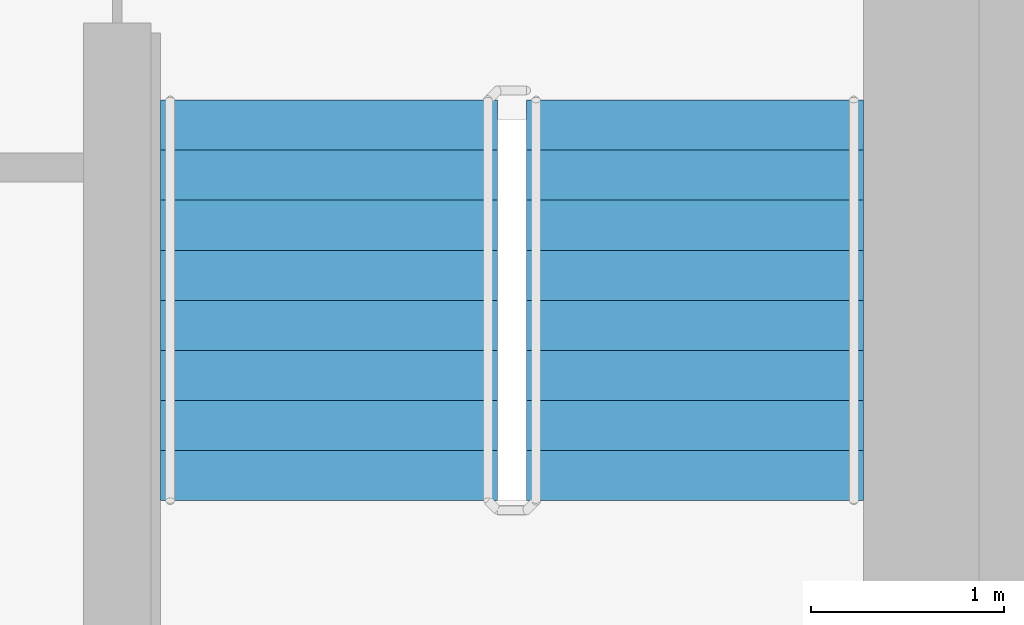
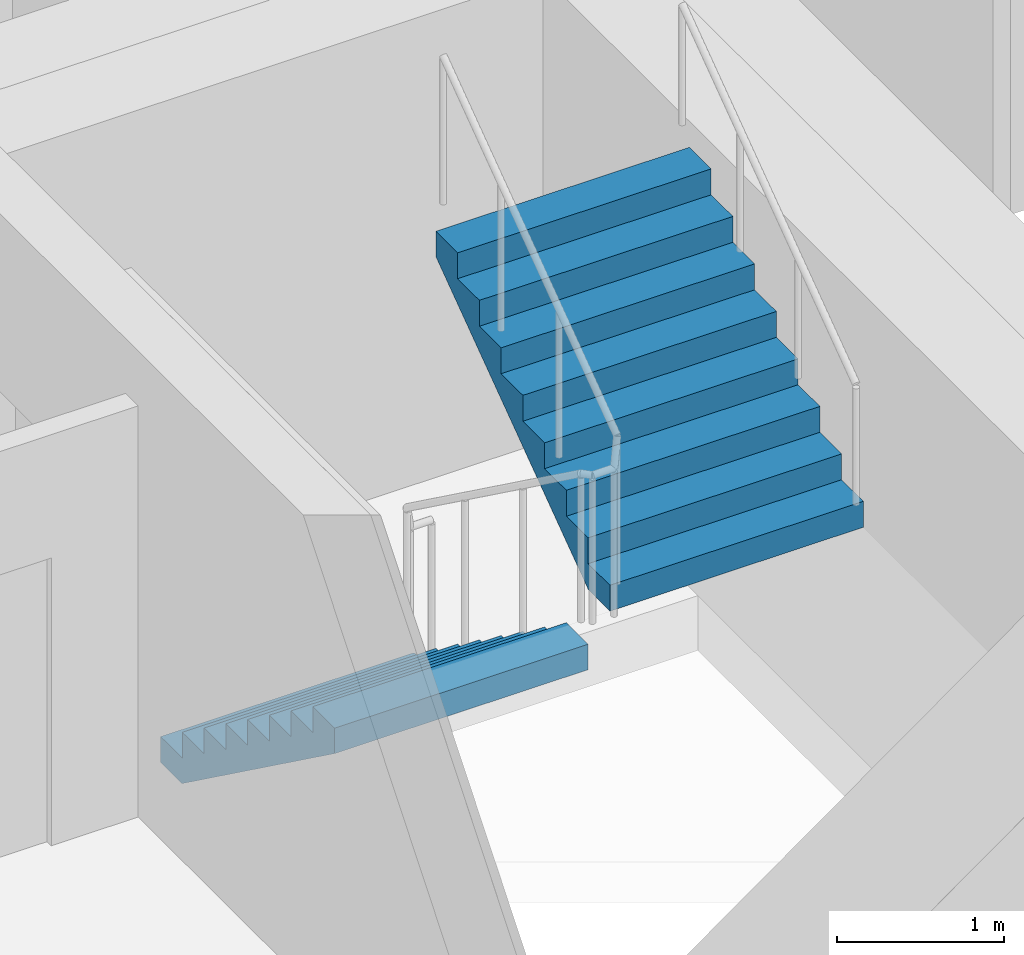
# One storey, part 14 of 18: 2 stair flights, 1 element without a shape of its own.
"""IFC4 building model written with IfcOpenShell, lengths in metres."""

from ifc_helpers import new_model, si_unit, direction, frame, origin, place, context, subcontext, project, spatial, faceted_brep, material, type_object, element, aggregate, save


model = new_model("IFC4")

# Units and contexts
model_context = context("Model", 3, precision=1e-05, world=origin(), true_north=direction((0.0, 1.0)))
body_context = subcontext(model_context, "Body", "Model", "MODEL_VIEW")
ifc_project = project(units=[si_unit("LENGTHUNIT", "METRE"), si_unit("AREAUNIT", "SQUARE_METRE"), si_unit("VOLUMEUNIT", "CUBIC_METRE"), si_unit("PLANEANGLEUNIT", "RADIAN"), si_unit("MASSUNIT", "GRAM", prefix="KILO")], contexts=[model_context])

# Site, building, storey
site_placement = place(None, origin())
site = spatial("IfcSite", under=ifc_project, at=site_placement, CompositionType="ELEMENT")
building_placement = place(site_placement, origin())
building = spatial("IfcBuilding", under=site, at=building_placement, Name="Ipe Terrace Towers", CompositionType="ELEMENT")
storey_placement = place(building_placement, frame((0.0, 0.0, 226.60009765625)))
storey = spatial("IfcBuildingStorey", under=building, at=storey_placement, Name="L63", CompositionType="ELEMENT", Elevation=226.60009765625)

# Stair, stair flights
ifc_material_1 = material(Name="Concrete C30/37", Category="concrete")
stair_type = type_object("IfcStairType", Name="Protected exit stair", PredefinedType="HALF_TURN_STAIR", material=ifc_material_1)
stair_placement = place(storey_placement, origin())
stair = element("IfcStair", 1, at=stair_placement, inside=storey, type_object=stair_type, Name="L63 Exit stair T2-C2", PredefinedType="HALF_TURN_STAIR")
ifc_material_2 = material(Name="Concrete C30/37", Category="concrete")
stair_flight_type = type_object("IfcStairFlightType", Name="Exit stair flight 1750", PredefinedType="STRAIGHT", material=ifc_material_2)
stair_flight_1_placement = place(storey_placement, frame((38.77490234375, -9.699951171875, 0.0), z_axis=(0.0, 0.0, 1.0), x_axis=(0.0, -1.0, 0.0)))
stair_flight_1 = element("IfcStairFlight", 2, at=stair_flight_1_placement, type_object=stair_flight_type, Name="T2-ST2 flight 1", NumberOfRisers=9, NumberOfTreads=8, PredefinedType="STRAIGHT", RiserHeight=0.188888889, TreadLength=0.26, context=body_context, shape_type="Brep", body=[
    faceted_brep([(0.255126953125, -0.875, 0.0), (2.080078125, -0.875, 1.325927734375), (2.080078125, -0.875, 1.51123046875), (1.820068359375, -0.875, 1.51123046875), (1.820068359375, -0.875, 1.322265625), (1.56005859375, -0.875, 1.322265625), (1.56005859375, -0.875, 1.13330078125), (1.300048828125, -0.875, 1.13330078125), (1.300048828125, -0.875, 0.9443359375), (1.0400390625, -0.875, 0.9443359375), (1.0400390625, -0.875, 0.755615234375), (0.780029296875, -0.875, 0.755615234375), (0.780029296875, -0.875, 0.566650390625), (0.52001953125, -0.875, 0.566650390625), (0.52001953125, -0.875, 0.377685546875), (0.260009765625, -0.875, 0.377685546875), (0.260009765625, -0.875, 0.18896484375), (0.0, -0.875, 0.18896484375), (0.0, -0.875, 0.0), (0.0, 0.875, 0.0), (0.0, 0.875, 0.18896484375), (0.260009765625, 0.875, 0.18896484375), (0.260009765625, 0.875, 0.377685546875), (0.52001953125, 0.875, 0.377685546875), (0.52001953125, 0.875, 0.566650390625), (0.780029296875, 0.875, 0.566650390625), (0.780029296875, 0.875, 0.755615234375), (1.0400390625, 0.875, 0.755615234375), (1.0400390625, 0.875, 0.9443359375), (1.300048828125, 0.875, 0.9443359375), (1.300048828125, 0.875, 1.13330078125), (1.56005859375, 0.875, 1.13330078125), (1.56005859375, 0.875, 1.322265625), (1.820068359375, 0.875, 1.322265625), (1.820068359375, 0.875, 1.51123046875), (2.080078125, 0.875, 1.51123046875), (2.080078125, 0.875, 1.325927734375), (0.255126953125, 0.875, 0.0), (0.0, -0.300048828125, 0.18896484375), (0.0, -0.1201171875, 0.18896484375), (0.0, -0.06005859375, 0.18896484375), (0.0, -0.030029296875, 0.18896484375), (0.0, -0.010009765625, 0.18896484375), (0.0, 0.0, 0.18896484375), (0.0, 0.010009765625, 0.18896484375), (0.0, 0.030029296875, 0.18896484375), (0.0, 0.06005859375, 0.18896484375), (0.0, 0.1201171875, 0.18896484375), (0.0, 0.300048828125, 0.18896484375), (0.0, 0.300048828125, 0.0), (0.0, 0.1201171875, 0.0), (0.0, 0.06005859375, 0.0), (0.0, 0.030029296875, 0.0), (0.0, 0.010009765625, 0.0), (0.0, 0.0, 0.0), (0.0, -0.010009765625, 0.0), (0.0, -0.030029296875, 0.0), (0.0, -0.06005859375, 0.0), (0.0, -0.1201171875, 0.0), (0.0, -0.300048828125, 0.0), (0.260009765625, -0.300048828125, 0.18896484375), (0.260009765625, -0.1201171875, 0.18896484375), (0.260009765625, -0.06005859375, 0.18896484375), (0.260009765625, -0.030029296875, 0.18896484375), (0.260009765625, -0.010009765625, 0.18896484375), (0.260009765625, 0.0, 0.18896484375), (0.260009765625, 0.010009765625, 0.18896484375), (0.260009765625, 0.030029296875, 0.18896484375), (0.260009765625, 0.06005859375, 0.18896484375), (0.260009765625, 0.1201171875, 0.18896484375), (0.260009765625, 0.300048828125, 0.18896484375), (0.260009765625, -0.300048828125, 0.377685546875), (0.260009765625, -0.1201171875, 0.377685546875), (0.260009765625, -0.06005859375, 0.377685546875), (0.260009765625, -0.030029296875, 0.377685546875), (0.260009765625, -0.010009765625, 0.377685546875), (0.260009765625, 0.0, 0.377685546875), (0.260009765625, 0.010009765625, 0.377685546875), (0.260009765625, 0.030029296875, 0.377685546875), (0.260009765625, 0.06005859375, 0.377685546875), (0.260009765625, 0.1201171875, 0.377685546875), (0.260009765625, 0.300048828125, 0.377685546875), (0.52001953125, -0.300048828125, 0.377685546875), (0.52001953125, -0.1201171875, 0.377685546875), (0.52001953125, -0.06005859375, 0.377685546875), (0.52001953125, -0.030029296875, 0.377685546875), (0.52001953125, -0.010009765625, 0.377685546875), (0.52001953125, 0.0, 0.377685546875), (0.52001953125, 0.010009765625, 0.377685546875), (0.52001953125, 0.030029296875, 0.377685546875), (0.52001953125, 0.06005859375, 0.377685546875), (0.52001953125, 0.1201171875, 0.377685546875), (0.52001953125, 0.300048828125, 0.377685546875), (0.52001953125, -0.300048828125, 0.566650390625), (0.52001953125, -0.1201171875, 0.566650390625), (0.52001953125, -0.06005859375, 0.566650390625), (0.52001953125, -0.030029296875, 0.566650390625), (0.52001953125, -0.010009765625, 0.566650390625), (0.52001953125, 0.0, 0.566650390625), (0.52001953125, 0.010009765625, 0.566650390625), (0.52001953125, 0.030029296875, 0.566650390625), (0.52001953125, 0.06005859375, 0.566650390625), (0.52001953125, 0.1201171875, 0.566650390625), (0.52001953125, 0.300048828125, 0.566650390625), (0.780029296875, -0.300048828125, 0.566650390625), (0.780029296875, -0.1201171875, 0.566650390625), (0.780029296875, -0.06005859375, 0.566650390625), (0.780029296875, -0.030029296875, 0.566650390625), (0.780029296875, -0.010009765625, 0.566650390625), (0.780029296875, 0.0, 0.566650390625), (0.780029296875, 0.010009765625, 0.566650390625), (0.780029296875, 0.030029296875, 0.566650390625), (0.780029296875, 0.06005859375, 0.566650390625), (0.780029296875, 0.1201171875, 0.566650390625), (0.780029296875, 0.300048828125, 0.566650390625), (0.780029296875, -0.300048828125, 0.755615234375), (0.780029296875, -0.1201171875, 0.755615234375), (0.780029296875, -0.06005859375, 0.755615234375), (0.780029296875, -0.030029296875, 0.755615234375), (0.780029296875, -0.010009765625, 0.755615234375), (0.780029296875, 0.0, 0.755615234375), (0.780029296875, 0.010009765625, 0.755615234375), (0.780029296875, 0.030029296875, 0.755615234375), (0.780029296875, 0.06005859375, 0.755615234375), (0.780029296875, 0.1201171875, 0.755615234375), (0.780029296875, 0.300048828125, 0.755615234375), (1.0400390625, -0.300048828125, 0.755615234375), (1.0400390625, -0.1201171875, 0.755615234375), (1.0400390625, -0.06005859375, 0.755615234375), (1.0400390625, -0.030029296875, 0.755615234375), (1.0400390625, -0.010009765625, 0.755615234375), (1.0400390625, 0.0, 0.755615234375), (1.0400390625, 0.010009765625, 0.755615234375), (1.0400390625, 0.030029296875, 0.755615234375), (1.0400390625, 0.06005859375, 0.755615234375), (1.0400390625, 0.1201171875, 0.755615234375), (1.0400390625, 0.300048828125, 0.755615234375), (1.0400390625, -0.300048828125, 0.9443359375), (1.0400390625, -0.1201171875, 0.9443359375), (1.0400390625, -0.06005859375, 0.9443359375), (1.0400390625, -0.030029296875, 0.9443359375), (1.0400390625, -0.010009765625, 0.9443359375), (1.0400390625, 0.0, 0.9443359375), (1.0400390625, 0.010009765625, 0.9443359375), (1.0400390625, 0.030029296875, 0.9443359375), (1.0400390625, 0.06005859375, 0.9443359375), (1.0400390625, 0.1201171875, 0.9443359375), (1.0400390625, 0.300048828125, 0.9443359375), (1.300048828125, -0.300048828125, 0.9443359375), (1.300048828125, -0.1201171875, 0.9443359375), (1.300048828125, -0.06005859375, 0.9443359375), (1.300048828125, -0.030029296875, 0.9443359375), (1.300048828125, -0.010009765625, 0.9443359375), (1.300048828125, 0.0, 0.9443359375), (1.300048828125, 0.010009765625, 0.9443359375), (1.300048828125, 0.030029296875, 0.9443359375), (1.300048828125, 0.06005859375, 0.9443359375), (1.300048828125, 0.1201171875, 0.9443359375), (1.300048828125, 0.300048828125, 0.9443359375), (1.300048828125, -0.300048828125, 1.13330078125), (1.300048828125, -0.1201171875, 1.13330078125), (1.300048828125, -0.06005859375, 1.13330078125), (1.300048828125, -0.030029296875, 1.13330078125), (1.300048828125, -0.010009765625, 1.13330078125), (1.300048828125, 0.0, 1.13330078125), (1.300048828125, 0.010009765625, 1.13330078125), (1.300048828125, 0.030029296875, 1.13330078125), (1.300048828125, 0.06005859375, 1.13330078125), (1.300048828125, 0.1201171875, 1.13330078125), (1.300048828125, 0.300048828125, 1.13330078125), (1.56005859375, -0.300048828125, 1.13330078125), (1.56005859375, -0.1201171875, 1.13330078125), (1.56005859375, -0.06005859375, 1.13330078125), (1.56005859375, -0.030029296875, 1.13330078125), (1.56005859375, -0.010009765625, 1.13330078125), (1.56005859375, 0.0, 1.13330078125), (1.56005859375, 0.010009765625, 1.13330078125), (1.56005859375, 0.030029296875, 1.13330078125), (1.56005859375, 0.06005859375, 1.13330078125), (1.56005859375, 0.1201171875, 1.13330078125), (1.56005859375, 0.300048828125, 1.13330078125), (1.56005859375, -0.300048828125, 1.322265625), (1.56005859375, -0.1201171875, 1.322265625), (1.56005859375, -0.06005859375, 1.322265625), (1.56005859375, -0.030029296875, 1.322265625), (1.56005859375, -0.010009765625, 1.322265625), (1.56005859375, 0.0, 1.322265625), (1.56005859375, 0.010009765625, 1.322265625), (1.56005859375, 0.030029296875, 1.322265625), (1.56005859375, 0.06005859375, 1.322265625), (1.56005859375, 0.1201171875, 1.322265625), (1.56005859375, 0.300048828125, 1.322265625), (1.820068359375, -0.300048828125, 1.322265625), (1.820068359375, -0.1201171875, 1.322265625), (1.820068359375, -0.06005859375, 1.322265625), (1.820068359375, -0.030029296875, 1.322265625), (1.820068359375, -0.010009765625, 1.322265625), (1.820068359375, 0.0, 1.322265625), (1.820068359375, 0.010009765625, 1.322265625), (1.820068359375, 0.030029296875, 1.322265625), (1.820068359375, 0.06005859375, 1.322265625), (1.820068359375, 0.1201171875, 1.322265625), (1.820068359375, 0.300048828125, 1.322265625), (1.820068359375, -0.300048828125, 1.51123046875), (1.820068359375, -0.1201171875, 1.51123046875), (1.820068359375, -0.06005859375, 1.51123046875), (1.820068359375, -0.030029296875, 1.51123046875), (1.820068359375, -0.010009765625, 1.51123046875), (1.820068359375, 0.0, 1.51123046875), (1.820068359375, 0.010009765625, 1.51123046875), (1.820068359375, 0.030029296875, 1.51123046875), (1.820068359375, 0.06005859375, 1.51123046875), (1.820068359375, 0.1201171875, 1.51123046875), (1.820068359375, 0.300048828125, 1.51123046875), (2.080078125, -0.300048828125, 1.51123046875), (2.080078125, -0.1201171875, 1.51123046875), (2.080078125, -0.06005859375, 1.51123046875), (2.080078125, -0.030029296875, 1.51123046875), (2.080078125, -0.010009765625, 1.51123046875), (2.080078125, 0.0, 1.51123046875), (2.080078125, 0.010009765625, 1.51123046875), (2.080078125, 0.030029296875, 1.51123046875), (2.080078125, 0.06005859375, 1.51123046875), (2.080078125, 0.1201171875, 1.51123046875), (2.080078125, 0.300048828125, 1.51123046875), (2.080078125, -0.300048828125, 1.325927734375), (2.080078125, -0.1201171875, 1.325927734375), (2.080078125, -0.06005859375, 1.325927734375), (2.080078125, -0.030029296875, 1.325927734375), (2.080078125, -0.010009765625, 1.325927734375), (2.080078125, 0.0, 1.325927734375), (2.080078125, 0.010009765625, 1.325927734375), (2.080078125, 0.030029296875, 1.325927734375), (2.080078125, 0.06005859375, 1.325927734375), (2.080078125, 0.1201171875, 1.325927734375), (2.080078125, 0.300048828125, 1.325927734375), (0.255126953125, -0.300048828125, 0.0), (0.255126953125, -0.1201171875, 0.0), (0.255126953125, -0.06005859375, 0.0), (0.255126953125, -0.030029296875, 0.0), (0.255126953125, -0.010009765625, 0.0), (0.255126953125, 0.0, 0.0), (0.255126953125, 0.010009765625, 0.0), (0.255126953125, 0.030029296875, 0.0), (0.255126953125, 0.06005859375, 0.0), (0.255126953125, 0.1201171875, 0.0), (0.255126953125, 0.300048828125, 0.0)], [[[0, 1, 2, 3, 4, 5, 6, 7, 8, 9, 10, 11, 12, 13, 14, 15, 16, 17, 18]], [[19, 20, 21, 22, 23, 24, 25, 26, 27, 28, 29, 30, 31, 32, 33, 34, 35, 36, 37]], [[17, 38, 39, 40, 41, 42, 43, 44, 45, 46, 47, 48, 20, 19, 49, 50, 51, 52, 53, 54, 55, 56, 57, 58, 59, 18]], [[16, 60, 61, 62, 63, 64, 65, 66, 67, 68, 69, 70, 21, 20, 48, 47, 46, 45, 44, 43, 42, 41, 40, 39, 38, 17]], [[15, 71, 72, 73, 74, 75, 76, 77, 78, 79, 80, 81, 22, 21, 70, 69, 68, 67, 66, 65, 64, 63, 62, 61, 60, 16]], [[14, 82, 83, 84, 85, 86, 87, 88, 89, 90, 91, 92, 23, 22, 81, 80, 79, 78, 77, 76, 75, 74, 73, 72, 71, 15]], [[13, 93, 94, 95, 96, 97, 98, 99, 100, 101, 102, 103, 24, 23, 92, 91, 90, 89, 88, 87, 86, 85, 84, 83, 82, 14]], [[12, 104, 105, 106, 107, 108, 109, 110, 111, 112, 113, 114, 25, 24, 103, 102, 101, 100, 99, 98, 97, 96, 95, 94, 93, 13]], [[11, 115, 116, 117, 118, 119, 120, 121, 122, 123, 124, 125, 26, 25, 114, 113, 112, 111, 110, 109, 108, 107, 106, 105, 104, 12]], [[10, 126, 127, 128, 129, 130, 131, 132, 133, 134, 135, 136, 27, 26, 125, 124, 123, 122, 121, 120, 119, 118, 117, 116, 115, 11]], [[9, 137, 138, 139, 140, 141, 142, 143, 144, 145, 146, 147, 28, 27, 136, 135, 134, 133, 132, 131, 130, 129, 128, 127, 126, 10]], [[8, 148, 149, 150, 151, 152, 153, 154, 155, 156, 157, 158, 29, 28, 147, 146, 145, 144, 143, 142, 141, 140, 139, 138, 137, 9]], [[7, 159, 160, 161, 162, 163, 164, 165, 166, 167, 168, 169, 30, 29, 158, 157, 156, 155, 154, 153, 152, 151, 150, 149, 148, 8]], [[6, 170, 171, 172, 173, 174, 175, 176, 177, 178, 179, 180, 31, 30, 169, 168, 167, 166, 165, 164, 163, 162, 161, 160, 159, 7]], [[5, 181, 182, 183, 184, 185, 186, 187, 188, 189, 190, 191, 32, 31, 180, 179, 178, 177, 176, 175, 174, 173, 172, 171, 170, 6]], [[4, 192, 193, 194, 195, 196, 197, 198, 199, 200, 201, 202, 33, 32, 191, 190, 189, 188, 187, 186, 185, 184, 183, 182, 181, 5]], [[3, 203, 204, 205, 206, 207, 208, 209, 210, 211, 212, 213, 34, 33, 202, 201, 200, 199, 198, 197, 196, 195, 194, 193, 192, 4]], [[2, 214, 215, 216, 217, 218, 219, 220, 221, 222, 223, 224, 35, 34, 213, 212, 211, 210, 209, 208, 207, 206, 205, 204, 203, 3]], [[1, 225, 226, 227, 228, 229, 230, 231, 232, 233, 234, 235, 36, 35, 224, 223, 222, 221, 220, 219, 218, 217, 216, 215, 214, 2]], [[0, 236, 237, 238, 239, 240, 241, 242, 243, 244, 245, 246, 37, 36, 235, 234, 233, 232, 231, 230, 229, 228, 227, 226, 225, 1]], [[18, 59, 58, 57, 56, 55, 54, 53, 52, 51, 50, 49, 19, 37, 246, 245, 244, 243, 242, 241, 240, 239, 238, 237, 236, 0]]]),
])
stair_flight_2_placement = place(storey_placement, frame((40.675048828125, -11.780029296875, 1.699951171875), z_axis=(0.0, 0.0, 1.0), x_axis=(0.0, 1.0, 0.0)))
stair_flight_2 = element("IfcStairFlight", 3, at=stair_flight_2_placement, type_object=stair_flight_type, Name="T2-ST2 flight 2", NumberOfRisers=9, NumberOfTreads=8, PredefinedType="STRAIGHT", RiserHeight=0.188888889, TreadLength=0.26, context=body_context, shape_type="Brep", body=[
    faceted_brep([(0.255126953125, -0.875, 0.0), (2.080078125, -0.875, 1.325927734375), (2.080078125, -0.875, 1.51123046875), (1.820068359375, -0.875, 1.51123046875), (1.820068359375, -0.875, 1.322265625), (1.56005859375, -0.875, 1.322265625), (1.56005859375, -0.875, 1.13330078125), (1.300048828125, -0.875, 1.13330078125), (1.300048828125, -0.875, 0.9443359375), (1.0400390625, -0.875, 0.9443359375), (1.0400390625, -0.875, 0.755615234375), (0.780029296875, -0.875, 0.755615234375), (0.780029296875, -0.875, 0.566650390625), (0.52001953125, -0.875, 0.566650390625), (0.52001953125, -0.875, 0.377685546875), (0.260009765625, -0.875, 0.377685546875), (0.260009765625, -0.875, 0.18896484375), (0.0, -0.875, 0.18896484375), (0.0, -0.875, 0.0), (0.0, 0.875, 0.0), (0.0, 0.875, 0.18896484375), (0.260009765625, 0.875, 0.18896484375), (0.260009765625, 0.875, 0.377685546875), (0.52001953125, 0.875, 0.377685546875), (0.52001953125, 0.875, 0.566650390625), (0.780029296875, 0.875, 0.566650390625), (0.780029296875, 0.875, 0.755615234375), (1.0400390625, 0.875, 0.755615234375), (1.0400390625, 0.875, 0.9443359375), (1.300048828125, 0.875, 0.9443359375), (1.300048828125, 0.875, 1.13330078125), (1.56005859375, 0.875, 1.13330078125), (1.56005859375, 0.875, 1.322265625), (1.820068359375, 0.875, 1.322265625), (1.820068359375, 0.875, 1.51123046875), (2.080078125, 0.875, 1.51123046875), (2.080078125, 0.875, 1.325927734375), (0.255126953125, 0.875, 0.0), (0.0, -0.300048828125, 0.18896484375), (0.0, -0.1201171875, 0.18896484375), (0.0, -0.06005859375, 0.18896484375), (0.0, -0.030029296875, 0.18896484375), (0.0, -0.010009765625, 0.18896484375), (0.0, 0.0, 0.18896484375), (0.0, 0.010009765625, 0.18896484375), (0.0, 0.030029296875, 0.18896484375), (0.0, 0.06005859375, 0.18896484375), (0.0, 0.1201171875, 0.18896484375), (0.0, 0.300048828125, 0.18896484375), (0.0, 0.300048828125, 0.0), (0.0, 0.1201171875, 0.0), (0.0, 0.06005859375, 0.0), (0.0, 0.030029296875, 0.0), (0.0, 0.010009765625, 0.0), (0.0, 0.0, 0.0), (0.0, -0.010009765625, 0.0), (0.0, -0.030029296875, 0.0), (0.0, -0.06005859375, 0.0), (0.0, -0.1201171875, 0.0), (0.0, -0.300048828125, 0.0), (0.260009765625, -0.300048828125, 0.18896484375), (0.260009765625, -0.1201171875, 0.18896484375), (0.260009765625, -0.06005859375, 0.18896484375), (0.260009765625, -0.030029296875, 0.18896484375), (0.260009765625, -0.010009765625, 0.18896484375), (0.260009765625, 0.0, 0.18896484375), (0.260009765625, 0.010009765625, 0.18896484375), (0.260009765625, 0.030029296875, 0.18896484375), (0.260009765625, 0.06005859375, 0.18896484375), (0.260009765625, 0.1201171875, 0.18896484375), (0.260009765625, 0.300048828125, 0.18896484375), (0.260009765625, -0.300048828125, 0.377685546875), (0.260009765625, -0.1201171875, 0.377685546875), (0.260009765625, -0.06005859375, 0.377685546875), (0.260009765625, -0.030029296875, 0.377685546875), (0.260009765625, -0.010009765625, 0.377685546875), (0.260009765625, 0.0, 0.377685546875), (0.260009765625, 0.010009765625, 0.377685546875), (0.260009765625, 0.030029296875, 0.377685546875), (0.260009765625, 0.06005859375, 0.377685546875), (0.260009765625, 0.1201171875, 0.377685546875), (0.260009765625, 0.300048828125, 0.377685546875), (0.52001953125, -0.300048828125, 0.377685546875), (0.52001953125, -0.1201171875, 0.377685546875), (0.52001953125, -0.06005859375, 0.377685546875), (0.52001953125, -0.030029296875, 0.377685546875), (0.52001953125, -0.010009765625, 0.377685546875), (0.52001953125, 0.0, 0.377685546875), (0.52001953125, 0.010009765625, 0.377685546875), (0.52001953125, 0.030029296875, 0.377685546875), (0.52001953125, 0.06005859375, 0.377685546875), (0.52001953125, 0.1201171875, 0.377685546875), (0.52001953125, 0.300048828125, 0.377685546875), (0.52001953125, -0.300048828125, 0.566650390625), (0.52001953125, -0.1201171875, 0.566650390625), (0.52001953125, -0.06005859375, 0.566650390625), (0.52001953125, -0.030029296875, 0.566650390625), (0.52001953125, -0.010009765625, 0.566650390625), (0.52001953125, 0.0, 0.566650390625), (0.52001953125, 0.010009765625, 0.566650390625), (0.52001953125, 0.030029296875, 0.566650390625), (0.52001953125, 0.06005859375, 0.566650390625), (0.52001953125, 0.1201171875, 0.566650390625), (0.52001953125, 0.300048828125, 0.566650390625), (0.780029296875, -0.300048828125, 0.566650390625), (0.780029296875, -0.1201171875, 0.566650390625), (0.780029296875, -0.06005859375, 0.566650390625), (0.780029296875, -0.030029296875, 0.566650390625), (0.780029296875, -0.010009765625, 0.566650390625), (0.780029296875, 0.0, 0.566650390625), (0.780029296875, 0.010009765625, 0.566650390625), (0.780029296875, 0.030029296875, 0.566650390625), (0.780029296875, 0.06005859375, 0.566650390625), (0.780029296875, 0.1201171875, 0.566650390625), (0.780029296875, 0.300048828125, 0.566650390625), (0.780029296875, -0.300048828125, 0.755615234375), (0.780029296875, -0.1201171875, 0.755615234375), (0.780029296875, -0.06005859375, 0.755615234375), (0.780029296875, -0.030029296875, 0.755615234375), (0.780029296875, -0.010009765625, 0.755615234375), (0.780029296875, 0.0, 0.755615234375), (0.780029296875, 0.010009765625, 0.755615234375), (0.780029296875, 0.030029296875, 0.755615234375), (0.780029296875, 0.06005859375, 0.755615234375), (0.780029296875, 0.1201171875, 0.755615234375), (0.780029296875, 0.300048828125, 0.755615234375), (1.0400390625, -0.300048828125, 0.755615234375), (1.0400390625, -0.1201171875, 0.755615234375), (1.0400390625, -0.06005859375, 0.755615234375), (1.0400390625, -0.030029296875, 0.755615234375), (1.0400390625, -0.010009765625, 0.755615234375), (1.0400390625, 0.0, 0.755615234375), (1.0400390625, 0.010009765625, 0.755615234375), (1.0400390625, 0.030029296875, 0.755615234375), (1.0400390625, 0.06005859375, 0.755615234375), (1.0400390625, 0.1201171875, 0.755615234375), (1.0400390625, 0.300048828125, 0.755615234375), (1.0400390625, -0.300048828125, 0.9443359375), (1.0400390625, -0.1201171875, 0.9443359375), (1.0400390625, -0.06005859375, 0.9443359375), (1.0400390625, -0.030029296875, 0.9443359375), (1.0400390625, -0.010009765625, 0.9443359375), (1.0400390625, 0.0, 0.9443359375), (1.0400390625, 0.010009765625, 0.9443359375), (1.0400390625, 0.030029296875, 0.9443359375), (1.0400390625, 0.06005859375, 0.9443359375), (1.0400390625, 0.1201171875, 0.9443359375), (1.0400390625, 0.300048828125, 0.9443359375), (1.300048828125, -0.300048828125, 0.9443359375), (1.300048828125, -0.1201171875, 0.9443359375), (1.300048828125, -0.06005859375, 0.9443359375), (1.300048828125, -0.030029296875, 0.9443359375), (1.300048828125, -0.010009765625, 0.9443359375), (1.300048828125, 0.0, 0.9443359375), (1.300048828125, 0.010009765625, 0.9443359375), (1.300048828125, 0.030029296875, 0.9443359375), (1.300048828125, 0.06005859375, 0.9443359375), (1.300048828125, 0.1201171875, 0.9443359375), (1.300048828125, 0.300048828125, 0.9443359375), (1.300048828125, -0.300048828125, 1.13330078125), (1.300048828125, -0.1201171875, 1.13330078125), (1.300048828125, -0.06005859375, 1.13330078125), (1.300048828125, -0.030029296875, 1.13330078125), (1.300048828125, -0.010009765625, 1.13330078125), (1.300048828125, 0.0, 1.13330078125), (1.300048828125, 0.010009765625, 1.13330078125), (1.300048828125, 0.030029296875, 1.13330078125), (1.300048828125, 0.06005859375, 1.13330078125), (1.300048828125, 0.1201171875, 1.13330078125), (1.300048828125, 0.300048828125, 1.13330078125), (1.56005859375, -0.300048828125, 1.13330078125), (1.56005859375, -0.1201171875, 1.13330078125), (1.56005859375, -0.06005859375, 1.13330078125), (1.56005859375, -0.030029296875, 1.13330078125), (1.56005859375, -0.010009765625, 1.13330078125), (1.56005859375, 0.0, 1.13330078125), (1.56005859375, 0.010009765625, 1.13330078125), (1.56005859375, 0.030029296875, 1.13330078125), (1.56005859375, 0.06005859375, 1.13330078125), (1.56005859375, 0.1201171875, 1.13330078125), (1.56005859375, 0.300048828125, 1.13330078125), (1.56005859375, -0.300048828125, 1.322265625), (1.56005859375, -0.1201171875, 1.322265625), (1.56005859375, -0.06005859375, 1.322265625), (1.56005859375, -0.030029296875, 1.322265625), (1.56005859375, -0.010009765625, 1.322265625), (1.56005859375, 0.0, 1.322265625), (1.56005859375, 0.010009765625, 1.322265625), (1.56005859375, 0.030029296875, 1.322265625), (1.56005859375, 0.06005859375, 1.322265625), (1.56005859375, 0.1201171875, 1.322265625), (1.56005859375, 0.300048828125, 1.322265625), (1.820068359375, -0.300048828125, 1.322265625), (1.820068359375, -0.1201171875, 1.322265625), (1.820068359375, -0.06005859375, 1.322265625), (1.820068359375, -0.030029296875, 1.322265625), (1.820068359375, -0.010009765625, 1.322265625), (1.820068359375, 0.0, 1.322265625), (1.820068359375, 0.010009765625, 1.322265625), (1.820068359375, 0.030029296875, 1.322265625), (1.820068359375, 0.06005859375, 1.322265625), (1.820068359375, 0.1201171875, 1.322265625), (1.820068359375, 0.300048828125, 1.322265625), (1.820068359375, -0.300048828125, 1.51123046875), (1.820068359375, -0.1201171875, 1.51123046875), (1.820068359375, -0.06005859375, 1.51123046875), (1.820068359375, -0.030029296875, 1.51123046875), (1.820068359375, -0.010009765625, 1.51123046875), (1.820068359375, 0.0, 1.51123046875), (1.820068359375, 0.010009765625, 1.51123046875), (1.820068359375, 0.030029296875, 1.51123046875), (1.820068359375, 0.06005859375, 1.51123046875), (1.820068359375, 0.1201171875, 1.51123046875), (1.820068359375, 0.300048828125, 1.51123046875), (2.080078125, -0.300048828125, 1.51123046875), (2.080078125, -0.1201171875, 1.51123046875), (2.080078125, -0.06005859375, 1.51123046875), (2.080078125, -0.030029296875, 1.51123046875), (2.080078125, -0.010009765625, 1.51123046875), (2.080078125, 0.0, 1.51123046875), (2.080078125, 0.010009765625, 1.51123046875), (2.080078125, 0.030029296875, 1.51123046875), (2.080078125, 0.06005859375, 1.51123046875), (2.080078125, 0.1201171875, 1.51123046875), (2.080078125, 0.300048828125, 1.51123046875), (2.080078125, -0.300048828125, 1.325927734375), (2.080078125, -0.1201171875, 1.325927734375), (2.080078125, -0.06005859375, 1.325927734375), (2.080078125, -0.030029296875, 1.325927734375), (2.080078125, -0.010009765625, 1.325927734375), (2.080078125, 0.0, 1.325927734375), (2.080078125, 0.010009765625, 1.325927734375), (2.080078125, 0.030029296875, 1.325927734375), (2.080078125, 0.06005859375, 1.325927734375), (2.080078125, 0.1201171875, 1.325927734375), (2.080078125, 0.300048828125, 1.325927734375), (0.255126953125, -0.300048828125, 0.0), (0.255126953125, -0.1201171875, 0.0), (0.255126953125, -0.06005859375, 0.0), (0.255126953125, -0.030029296875, 0.0), (0.255126953125, -0.010009765625, 0.0), (0.255126953125, 0.0, 0.0), (0.255126953125, 0.010009765625, 0.0), (0.255126953125, 0.030029296875, 0.0), (0.255126953125, 0.06005859375, 0.0), (0.255126953125, 0.1201171875, 0.0), (0.255126953125, 0.300048828125, 0.0)], [[[0, 1, 2, 3, 4, 5, 6, 7, 8, 9, 10, 11, 12, 13, 14, 15, 16, 17, 18]], [[19, 20, 21, 22, 23, 24, 25, 26, 27, 28, 29, 30, 31, 32, 33, 34, 35, 36, 37]], [[17, 38, 39, 40, 41, 42, 43, 44, 45, 46, 47, 48, 20, 19, 49, 50, 51, 52, 53, 54, 55, 56, 57, 58, 59, 18]], [[16, 60, 61, 62, 63, 64, 65, 66, 67, 68, 69, 70, 21, 20, 48, 47, 46, 45, 44, 43, 42, 41, 40, 39, 38, 17]], [[15, 71, 72, 73, 74, 75, 76, 77, 78, 79, 80, 81, 22, 21, 70, 69, 68, 67, 66, 65, 64, 63, 62, 61, 60, 16]], [[14, 82, 83, 84, 85, 86, 87, 88, 89, 90, 91, 92, 23, 22, 81, 80, 79, 78, 77, 76, 75, 74, 73, 72, 71, 15]], [[13, 93, 94, 95, 96, 97, 98, 99, 100, 101, 102, 103, 24, 23, 92, 91, 90, 89, 88, 87, 86, 85, 84, 83, 82, 14]], [[12, 104, 105, 106, 107, 108, 109, 110, 111, 112, 113, 114, 25, 24, 103, 102, 101, 100, 99, 98, 97, 96, 95, 94, 93, 13]], [[11, 115, 116, 117, 118, 119, 120, 121, 122, 123, 124, 125, 26, 25, 114, 113, 112, 111, 110, 109, 108, 107, 106, 105, 104, 12]], [[10, 126, 127, 128, 129, 130, 131, 132, 133, 134, 135, 136, 27, 26, 125, 124, 123, 122, 121, 120, 119, 118, 117, 116, 115, 11]], [[9, 137, 138, 139, 140, 141, 142, 143, 144, 145, 146, 147, 28, 27, 136, 135, 134, 133, 132, 131, 130, 129, 128, 127, 126, 10]], [[8, 148, 149, 150, 151, 152, 153, 154, 155, 156, 157, 158, 29, 28, 147, 146, 145, 144, 143, 142, 141, 140, 139, 138, 137, 9]], [[7, 159, 160, 161, 162, 163, 164, 165, 166, 167, 168, 169, 30, 29, 158, 157, 156, 155, 154, 153, 152, 151, 150, 149, 148, 8]], [[6, 170, 171, 172, 173, 174, 175, 176, 177, 178, 179, 180, 31, 30, 169, 168, 167, 166, 165, 164, 163, 162, 161, 160, 159, 7]], [[5, 181, 182, 183, 184, 185, 186, 187, 188, 189, 190, 191, 32, 31, 180, 179, 178, 177, 176, 175, 174, 173, 172, 171, 170, 6]], [[4, 192, 193, 194, 195, 196, 197, 198, 199, 200, 201, 202, 33, 32, 191, 190, 189, 188, 187, 186, 185, 184, 183, 182, 181, 5]], [[3, 203, 204, 205, 206, 207, 208, 209, 210, 211, 212, 213, 34, 33, 202, 201, 200, 199, 198, 197, 196, 195, 194, 193, 192, 4]], [[2, 214, 215, 216, 217, 218, 219, 220, 221, 222, 223, 224, 35, 34, 213, 212, 211, 210, 209, 208, 207, 206, 205, 204, 203, 3]], [[1, 225, 226, 227, 228, 229, 230, 231, 232, 233, 234, 235, 36, 35, 224, 223, 222, 221, 220, 219, 218, 217, 216, 215, 214, 2]], [[0, 236, 237, 238, 239, 240, 241, 242, 243, 244, 245, 246, 37, 36, 235, 234, 233, 232, 231, 230, 229, 228, 227, 226, 225, 1]], [[18, 59, 58, 57, 56, 55, 54, 53, 52, 51, 50, 49, 19, 37, 246, 245, 244, 243, 242, 241, 240, 239, 238, 237, 236, 0]]]),
])
aggregate(stair, [stair_flight_1, stair_flight_2])

save(model, "model.ifc")
